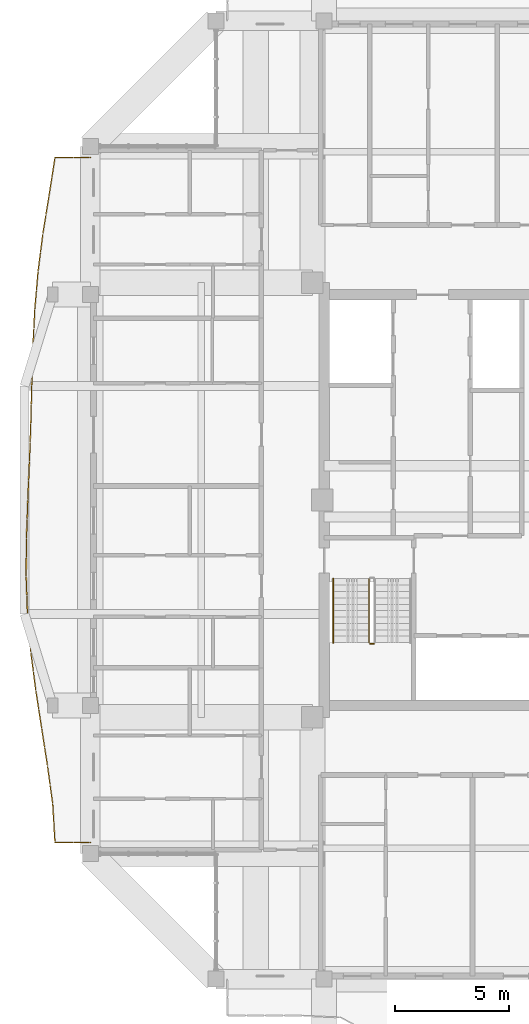
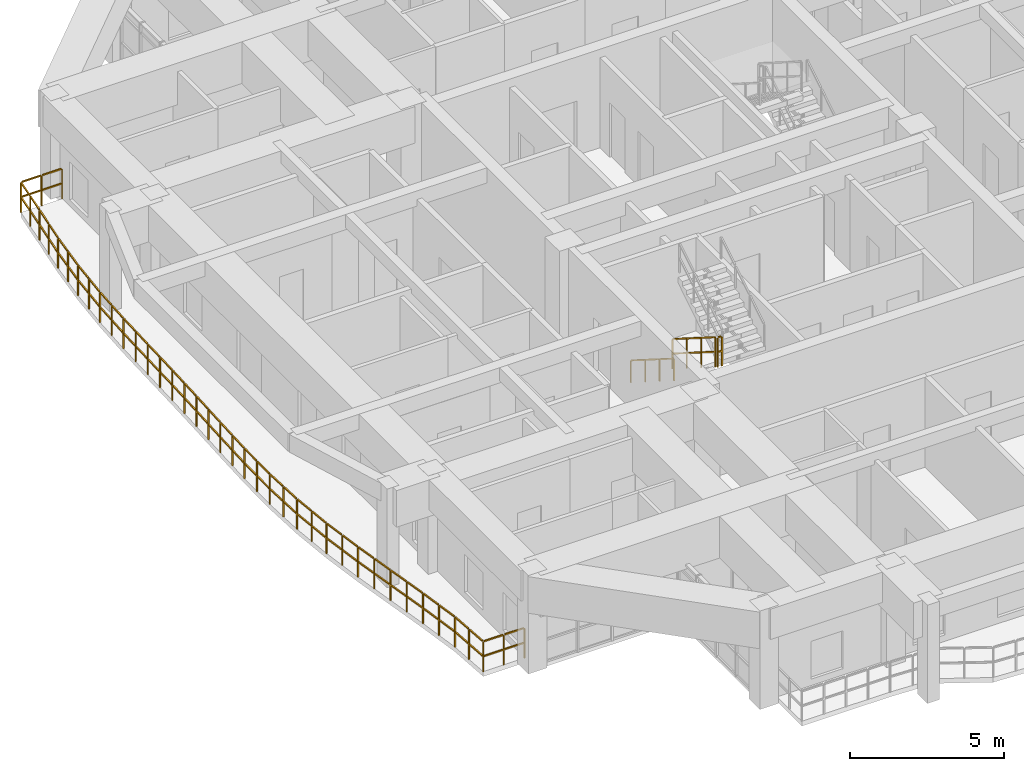
# One storey, part 24 of 27: 4 railings.
"""IFC4 building model written with IfcOpenShell, lengths in metres."""

from ifc_helpers import new_model, si_unit, direction, frame, origin, origin_2d, place, context, subcontext, project, spatial, rectangle, extrude, material, type_object, element, save


model = new_model("IFC4")

# Units and contexts
model_context = context("Model", 3, precision=1e-05, world=origin(), true_north=direction((0.0, 1.0)))
body_context = subcontext(model_context, "Body", "Model", "MODEL_VIEW")
ifc_project = project(units=[si_unit("LENGTHUNIT", "METRE"), si_unit("AREAUNIT", "SQUARE_METRE"), si_unit("VOLUMEUNIT", "CUBIC_METRE"), si_unit("PLANEANGLEUNIT", "RADIAN"), si_unit("MASSUNIT", "GRAM", prefix="KILO")], contexts=[model_context])

# Site, building, storey
site_placement = place(None, origin())
site = spatial("IfcSite", under=ifc_project, at=site_placement, CompositionType="ELEMENT")
building_placement = place(site_placement, origin())
building = spatial("IfcBuilding", under=site, at=building_placement, Name="Saelheon Loggia Tower", CompositionType="ELEMENT")
storey_placement = place(building_placement, frame((0.0, 0.0, 236.10009765625)))
storey = spatial("IfcBuildingStorey", under=building, at=storey_placement, Name="L73", CompositionType="ELEMENT", Elevation=236.10009765625)

# Railings
ifc_material_1 = material(Name="Architectural Precast Concrete and Laminated Glass Guard", Category="concrete")
railing_type_1 = type_object("IfcRailingType", Name="Guard_Loggia_RL_LOG", PredefinedType="BALUSTRADE", material=ifc_material_1)
railing_1_placement = place(storey_placement, frame((21.25, 42.0, 0.0)))
element("IfcRailing", 1, at=railing_1_placement, inside=storey, type_object=railing_type_1, Name="L73 West Loggia Balustrade", PredefinedType="BALUSTRADE", context=body_context, shape_type="SweptSolid", body=[
    extrude(rectangle(XDim=0.048095703125, YDim=0.048095703125, at=origin_2d()), frame((-0.033203125, 0.0, 1.19580078125), z_axis=(-1.0, 0.0, 0.0), x_axis=(0.0, -1.0, 0.0)), (0.0, 0.0, 1.0), 0.70849609375),
    extrude(rectangle(XDim=0.048095703125, YDim=0.048095703125, at=origin_2d()), frame((-0.033203125, 0.0, 0.60986328125), z_axis=(-1.0, 0.0, 0.0), x_axis=(0.0, -1.0, 0.0)), (0.0, 0.0, 1.0), 0.70849609375),
    extrude(rectangle(XDim=0.048095703125, YDim=0.048095703125, at=origin_2d()), frame((-0.808349609375, 0.0, 1.19580078125), z_axis=(-1.0, 0.0, 0.0), x_axis=(0.0, -1.0, 0.0)), (0.0, 0.0, 1.0), 0.70849609375),
    extrude(rectangle(XDim=0.048095703125, YDim=0.048095703125, at=origin_2d()), frame((-0.808349609375, 0.0, 0.60986328125), z_axis=(-1.0, 0.0, 0.0), x_axis=(0.0, -1.0, 0.0)), (0.0, 0.0, 1.0), 0.70849609375),
    extrude(rectangle(XDim=0.048095703125, YDim=0.048095703125, at=origin_2d()), frame((-1.55517578125, -0.03271484375, 1.19580078125), z_axis=(-0.154275338413, -0.988027894322, 0.0), x_axis=(0.988027894322, -0.154275338413, 0.0)), (0.0, 0.0, 1.0), 0.777099609375),
    extrude(rectangle(XDim=0.048095703125, YDim=0.048095703125, at=origin_2d()), frame((-1.55517578125, -0.03271484375, 0.60986328125), z_axis=(-0.154275338413, -0.988027894322, 0.0), x_axis=(0.988027894322, -0.154275338413, 0.0)), (0.0, 0.0, 1.0), 0.777099609375),
    extrude(rectangle(XDim=0.048095703125, YDim=0.048095703125, at=origin_2d()), frame((-1.685302734375, -0.8662109375, 1.19580078125), z_axis=(-0.154275338413, -0.988027894322, 0.0), x_axis=(0.988027894322, -0.154275338413, 0.0)), (0.0, 0.0, 1.0), 0.777099609375),
    extrude(rectangle(XDim=0.048095703125, YDim=0.048095703125, at=origin_2d()), frame((-1.685302734375, -0.8662109375, 0.60986328125), z_axis=(-0.154275338413, -0.988027894322, 0.0), x_axis=(0.988027894322, -0.154275338413, 0.0)), (0.0, 0.0, 1.0), 0.777099609375),
    extrude(rectangle(XDim=0.048095703125, YDim=0.048095703125, at=origin_2d()), frame((-1.815673828125, -1.699462890625, 1.19580078125), z_axis=(-0.160364370731, -0.987057885131, 0.0), x_axis=(0.987057885131, -0.160364370731, 0.0)), (0.0, 0.0, 1.0), 0.777587890625),
    extrude(rectangle(XDim=0.048095703125, YDim=0.048095703125, at=origin_2d()), frame((-1.815673828125, -1.699462890625, 0.60986328125), z_axis=(-0.160364370731, -0.987057885131, 0.0), x_axis=(0.987057885131, -0.160364370731, 0.0)), (0.0, 0.0, 1.0), 0.777587890625),
    extrude(rectangle(XDim=0.048095703125, YDim=0.048095703125, at=origin_2d()), frame((-1.950927734375, -2.53271484375, 1.19580078125), z_axis=(-0.160364370731, -0.987057885131, 0.0), x_axis=(0.987057885131, -0.160364370731, 0.0)), (0.0, 0.0, 1.0), 0.777587890625),
    extrude(rectangle(XDim=0.048095703125, YDim=0.048095703125, at=origin_2d()), frame((-1.950927734375, -2.53271484375, 0.60986328125), z_axis=(-0.160364370731, -0.987057885131, 0.0), x_axis=(0.987057885131, -0.160364370731, 0.0)), (0.0, 0.0, 1.0), 0.777587890625),
    extrude(rectangle(XDim=0.048095703125, YDim=0.048095703125, at=origin_2d()), frame((-2.085205078125, -3.3662109375, 1.19580078125), z_axis=(-0.126555838779, -0.991959484894, 0.0), x_axis=(0.991959484894, -0.126555838779, 0.0)), (0.0, 0.0, 1.0), 0.773681640625),
    extrude(rectangle(XDim=0.048095703125, YDim=0.048095703125, at=origin_2d()), frame((-2.085205078125, -3.3662109375, 0.60986328125), z_axis=(-0.126555838779, -0.991959484894, 0.0), x_axis=(0.991959484894, -0.126555838779, 0.0)), (0.0, 0.0, 1.0), 0.773681640625),
    extrude(rectangle(XDim=0.048095703125, YDim=0.048095703125, at=origin_2d()), frame((-2.191650390625, -4.19970703125, 1.19580078125), z_axis=(-0.126555838779, -0.991959484894, 0.0), x_axis=(0.991959484894, -0.126555838779, 0.0)), (0.0, 0.0, 1.0), 0.773681640625),
    extrude(rectangle(XDim=0.048095703125, YDim=0.048095703125, at=origin_2d()), frame((-2.191650390625, -4.19970703125, 0.60986328125), z_axis=(-0.126555838779, -0.991959484894, 0.0), x_axis=(0.991959484894, -0.126555838779, 0.0)), (0.0, 0.0, 1.0), 0.773681640625),
    extrude(rectangle(XDim=0.048095703125, YDim=0.048095703125, at=origin_2d()), frame((-2.296630859375, -5.033203125, 1.19580078125), z_axis=(-0.085086537051, -0.996373565091, 0.0), x_axis=(0.996373565091, -0.085086537051, 0.0)), (0.0, 0.0, 1.0), 0.77001953125),
    extrude(rectangle(XDim=0.048095703125, YDim=0.048095703125, at=origin_2d()), frame((-2.296630859375, -5.033203125, 0.60986328125), z_axis=(-0.085086537051, -0.996373565091, 0.0), x_axis=(0.996373565091, -0.085086537051, 0.0)), (0.0, 0.0, 1.0), 0.77001953125),
    extrude(rectangle(XDim=0.048095703125, YDim=0.048095703125, at=origin_2d()), frame((-2.36767578125, -5.866455078125, 1.19580078125), z_axis=(-0.085086537051, -0.996373565091, 0.0), x_axis=(0.996373565091, -0.085086537051, 0.0)), (0.0, 0.0, 1.0), 0.77001953125),
    extrude(rectangle(XDim=0.048095703125, YDim=0.048095703125, at=origin_2d()), frame((-2.36767578125, -5.866455078125, 0.60986328125), z_axis=(-0.085086537051, -0.996373565091, 0.0), x_axis=(0.996373565091, -0.085086537051, 0.0)), (0.0, 0.0, 1.0), 0.77001953125),
    extrude(rectangle(XDim=0.048095703125, YDim=0.048095703125, at=origin_2d()), frame((-2.437744140625, -6.699951171875, 1.19580078125), z_axis=(-0.049164031817, -0.998790717806, 0.0), x_axis=(0.998790717806, -0.049164031817, 0.0)), (0.0, 0.0, 1.0), 0.767822265625),
    extrude(rectangle(XDim=0.048095703125, YDim=0.048095703125, at=origin_2d()), frame((-2.437744140625, -6.699951171875, 0.60986328125), z_axis=(-0.049164031817, -0.998790717806, 0.0), x_axis=(0.998790717806, -0.049164031817, 0.0)), (0.0, 0.0, 1.0), 0.767822265625),
    extrude(rectangle(XDim=0.048095703125, YDim=0.048095703125, at=origin_2d()), frame((-2.478759765625, -7.533203125, 1.19580078125), z_axis=(-0.049164031817, -0.998790717806, 0.0), x_axis=(0.998790717806, -0.049164031817, 0.0)), (0.0, 0.0, 1.0), 0.767822265625),
    extrude(rectangle(XDim=0.048095703125, YDim=0.048095703125, at=origin_2d()), frame((-2.478759765625, -7.533203125, 0.60986328125), z_axis=(-0.049164031817, -0.998790717806, 0.0), x_axis=(0.998790717806, -0.049164031817, 0.0)), (0.0, 0.0, 1.0), 0.767822265625),
    extrude(rectangle(XDim=0.048095703125, YDim=0.048095703125, at=origin_2d()), frame((-2.51904296875, -8.366455078125, 1.19580078125), z_axis=(-0.028990300161, -0.999579692919, 0.0), x_axis=(0.999579692919, -0.028990300161, 0.0)), (0.0, 0.0, 1.0), 0.767333984375),
    extrude(rectangle(XDim=0.048095703125, YDim=0.048095703125, at=origin_2d()), frame((-2.51904296875, -8.366455078125, 0.60986328125), z_axis=(-0.028990300161, -0.999579692919, 0.0), x_axis=(0.999579692919, -0.028990300161, 0.0)), (0.0, 0.0, 1.0), 0.767333984375),
    extrude(rectangle(XDim=0.048095703125, YDim=0.048095703125, at=origin_2d()), frame((-2.543212890625, -9.199951171875, 1.19580078125), z_axis=(-0.028990300161, -0.999579692919, 0.0), x_axis=(0.999579692919, -0.028990300161, 0.0)), (0.0, 0.0, 1.0), 0.767333984375),
    extrude(rectangle(XDim=0.048095703125, YDim=0.048095703125, at=origin_2d()), frame((-2.543212890625, -9.199951171875, 0.60986328125), z_axis=(-0.028990300161, -0.999579692919, 0.0), x_axis=(0.999579692919, -0.028990300161, 0.0)), (0.0, 0.0, 1.0), 0.767333984375),
    extrude(rectangle(XDim=0.048095703125, YDim=0.048095703125, at=origin_2d()), frame((-2.5673828125, -10.033203125, 1.19580078125), z_axis=(-0.026503064378, -0.999648732095, 0.0), x_axis=(0.999648732095, -0.026503064378, 0.0)), (0.0, 0.0, 1.0), 0.76708984375),
    extrude(rectangle(XDim=0.048095703125, YDim=0.048095703125, at=origin_2d()), frame((-2.5673828125, -10.033203125, 0.60986328125), z_axis=(-0.026503064378, -0.999648732095, 0.0), x_axis=(0.999648732095, -0.026503064378, 0.0)), (0.0, 0.0, 1.0), 0.76708984375),
    extrude(rectangle(XDim=0.048095703125, YDim=0.048095703125, at=origin_2d()), frame((-2.58935546875, -10.86669921875, 1.19580078125), z_axis=(-0.026503064378, -0.999648732095, 0.0), x_axis=(0.999648732095, -0.026503064378, 0.0)), (0.0, 0.0, 1.0), 0.76708984375),
    extrude(rectangle(XDim=0.048095703125, YDim=0.048095703125, at=origin_2d()), frame((-2.58935546875, -10.86669921875, 0.60986328125), z_axis=(-0.026503064378, -0.999648732095, 0.0), x_axis=(0.999648732095, -0.026503064378, 0.0)), (0.0, 0.0, 1.0), 0.76708984375),
    extrude(rectangle(XDim=0.048095703125, YDim=0.048095703125, at=origin_2d()), frame((-2.61181640625, -11.699951171875, 1.19580078125), z_axis=(-0.034699278976, -0.999397798696, 0.0), x_axis=(0.999397798696, -0.034699278976, 0.0)), (0.0, 0.0, 1.0), 0.767333984375),
    extrude(rectangle(XDim=0.048095703125, YDim=0.048095703125, at=origin_2d()), frame((-2.61181640625, -11.699951171875, 0.60986328125), z_axis=(-0.034699278976, -0.999397798696, 0.0), x_axis=(0.999397798696, -0.034699278976, 0.0)), (0.0, 0.0, 1.0), 0.767333984375),
    extrude(rectangle(XDim=0.048095703125, YDim=0.048095703125, at=origin_2d()), frame((-2.640625, -12.533203125, 1.19580078125), z_axis=(-0.034699278976, -0.999397798696, 0.0), x_axis=(0.999397798696, -0.034699278976, 0.0)), (0.0, 0.0, 1.0), 0.767333984375),
    extrude(rectangle(XDim=0.048095703125, YDim=0.048095703125, at=origin_2d()), frame((-2.640625, -12.533203125, 0.60986328125), z_axis=(-0.034699278976, -0.999397798696, 0.0), x_axis=(0.999397798696, -0.034699278976, 0.0)), (0.0, 0.0, 1.0), 0.767333984375),
    extrude(rectangle(XDim=0.048095703125, YDim=0.048095703125, at=origin_2d()), frame((-2.669921875, -13.366455078125, 1.19580078125), z_axis=(-0.041563583491, -0.999135860895, 0.0), x_axis=(0.999135860895, -0.041563583491, 0.0)), (0.0, 0.0, 1.0), 0.767578125),
    extrude(rectangle(XDim=0.048095703125, YDim=0.048095703125, at=origin_2d()), frame((-2.669921875, -13.366455078125, 0.60986328125), z_axis=(-0.041563583491, -0.999135860895, 0.0), x_axis=(0.999135860895, -0.041563583491, 0.0)), (0.0, 0.0, 1.0), 0.767578125),
    extrude(rectangle(XDim=0.048095703125, YDim=0.048095703125, at=origin_2d()), frame((-2.70458984375, -14.199951171875, 1.19580078125), z_axis=(-0.041563583491, -0.999135860895, 0.0), x_axis=(0.999135860895, -0.041563583491, 0.0)), (0.0, 0.0, 1.0), 0.767578125),
    extrude(rectangle(XDim=0.048095703125, YDim=0.048095703125, at=origin_2d()), frame((-2.70458984375, -14.199951171875, 0.60986328125), z_axis=(-0.041563583491, -0.999135860895, 0.0), x_axis=(0.999135860895, -0.041563583491, 0.0)), (0.0, 0.0, 1.0), 0.767578125),
    extrude(rectangle(XDim=0.048095703125, YDim=0.048095703125, at=origin_2d()), frame((-2.739013671875, -15.033203125, 1.19580078125), z_axis=(-0.035132830873, -0.999382651538, 0.0), x_axis=(0.999382651538, -0.035132830873, 0.0)), (0.0, 0.0, 1.0), 0.767333984375),
    extrude(rectangle(XDim=0.048095703125, YDim=0.048095703125, at=origin_2d()), frame((-2.739013671875, -15.033203125, 0.60986328125), z_axis=(-0.035132830873, -0.999382651538, 0.0), x_axis=(0.999382651538, -0.035132830873, 0.0)), (0.0, 0.0, 1.0), 0.767333984375),
    extrude(rectangle(XDim=0.048095703125, YDim=0.048095703125, at=origin_2d()), frame((-2.768310546875, -15.86669921875, 1.19580078125), z_axis=(-0.035132830873, -0.999382651538, 0.0), x_axis=(0.999382651538, -0.035132830873, 0.0)), (0.0, 0.0, 1.0), 0.767333984375),
    extrude(rectangle(XDim=0.048095703125, YDim=0.048095703125, at=origin_2d()), frame((-2.768310546875, -15.86669921875, 0.60986328125), z_axis=(-0.035132830873, -0.999382651538, 0.0), x_axis=(0.999382651538, -0.035132830873, 0.0)), (0.0, 0.0, 1.0), 0.767333984375),
    extrude(rectangle(XDim=0.048095703125, YDim=0.048095703125, at=origin_2d()), frame((-2.796630859375, -16.699951171875, 1.19580078125), z_axis=(-0.008496616815, -0.9999639031, 0.0), x_axis=(0.9999639031, -0.008496616815, 0.0)), (0.0, 0.0, 1.0), 0.766845703125),
    extrude(rectangle(XDim=0.048095703125, YDim=0.048095703125, at=origin_2d()), frame((-2.796630859375, -16.699951171875, 0.60986328125), z_axis=(-0.008496616815, -0.9999639031, 0.0), x_axis=(0.9999639031, -0.008496616815, 0.0)), (0.0, 0.0, 1.0), 0.766845703125),
    extrude(rectangle(XDim=0.048095703125, YDim=0.048095703125, at=origin_2d()), frame((-2.8037109375, -17.533203125, 1.19580078125), z_axis=(-0.008496616815, -0.9999639031, 0.0), x_axis=(0.9999639031, -0.008496616815, 0.0)), (0.0, 0.0, 1.0), 0.766845703125),
    extrude(rectangle(XDim=0.048095703125, YDim=0.048095703125, at=origin_2d()), frame((-2.8037109375, -17.533203125, 0.60986328125), z_axis=(-0.008496616815, -0.9999639031, 0.0), x_axis=(0.9999639031, -0.008496616815, 0.0)), (0.0, 0.0, 1.0), 0.766845703125),
    extrude(rectangle(XDim=0.048095703125, YDim=0.048095703125, at=origin_2d()), frame((-2.809326171875, -18.366455078125, 1.19580078125), z_axis=(0.035132830873, -0.999382651538, 0.0), x_axis=(0.999382651538, 0.035132830873, 0.0)), (0.0, 0.0, 1.0), 0.767333984375),
    extrude(rectangle(XDim=0.048095703125, YDim=0.048095703125, at=origin_2d()), frame((-2.809326171875, -18.366455078125, 0.60986328125), z_axis=(0.035132830873, -0.999382651538, 0.0), x_axis=(0.999382651538, 0.035132830873, 0.0)), (0.0, 0.0, 1.0), 0.767333984375),
    extrude(rectangle(XDim=0.048095703125, YDim=0.048095703125, at=origin_2d()), frame((-2.780029296875, -19.199951171875, 1.19580078125), z_axis=(0.035132830873, -0.999382651538, 0.0), x_axis=(0.999382651538, 0.035132830873, 0.0)), (0.0, 0.0, 1.0), 0.767333984375),
    extrude(rectangle(XDim=0.048095703125, YDim=0.048095703125, at=origin_2d()), frame((-2.780029296875, -19.199951171875, 0.60986328125), z_axis=(0.035132830873, -0.999382651538, 0.0), x_axis=(0.999382651538, 0.035132830873, 0.0)), (0.0, 0.0, 1.0), 0.767333984375),
    extrude(rectangle(XDim=0.048095703125, YDim=0.048095703125, at=origin_2d()), frame((-2.7490234375, -20.033203125, 1.19580078125), z_axis=(0.085810916516, -0.996311440568, 0.0), x_axis=(0.996311440568, 0.085810916516, 0.0)), (0.0, 0.0, 1.0), 0.77001953125),
    extrude(rectangle(XDim=0.048095703125, YDim=0.048095703125, at=origin_2d()), frame((-2.7490234375, -20.033203125, 0.60986328125), z_axis=(0.085810916516, -0.996311440568, 0.0), x_axis=(0.996311440568, 0.085810916516, 0.0)), (0.0, 0.0, 1.0), 0.77001953125),
    extrude(rectangle(XDim=0.048095703125, YDim=0.048095703125, at=origin_2d()), frame((-2.67724609375, -20.866455078125, 1.19580078125), z_axis=(0.085810916516, -0.996311440568, 0.0), x_axis=(0.996311440568, 0.085810916516, 0.0)), (0.0, 0.0, 1.0), 0.77001953125),
    extrude(rectangle(XDim=0.048095703125, YDim=0.048095703125, at=origin_2d()), frame((-2.67724609375, -20.866455078125, 0.60986328125), z_axis=(0.085810916516, -0.996311440568, 0.0), x_axis=(0.996311440568, 0.085810916516, 0.0)), (0.0, 0.0, 1.0), 0.77001953125),
    extrude(rectangle(XDim=0.048095703125, YDim=0.048095703125, at=origin_2d()), frame((-2.60400390625, -21.69970703125, 1.19580078125), z_axis=(0.128718073228, -0.991681227827, 0.0), x_axis=(0.991681227827, 0.128718073228, 0.0)), (0.0, 0.0, 1.0), 0.773681640625),
    extrude(rectangle(XDim=0.048095703125, YDim=0.048095703125, at=origin_2d()), frame((-2.60400390625, -21.69970703125, 0.60986328125), z_axis=(0.128718073228, -0.991681227827, 0.0), x_axis=(0.991681227827, 0.128718073228, 0.0)), (0.0, 0.0, 1.0), 0.773681640625),
    extrude(rectangle(XDim=0.048095703125, YDim=0.048095703125, at=origin_2d()), frame((-2.495849609375, -22.532958984375, 1.19580078125), z_axis=(0.128718073228, -0.991681227827, 0.0), x_axis=(0.991681227827, 0.128718073228, 0.0)), (0.0, 0.0, 1.0), 0.773681640625),
    extrude(rectangle(XDim=0.048095703125, YDim=0.048095703125, at=origin_2d()), frame((-2.495849609375, -22.532958984375, 0.60986328125), z_axis=(0.128718073228, -0.991681227827, 0.0), x_axis=(0.991681227827, 0.128718073228, 0.0)), (0.0, 0.0, 1.0), 0.773681640625),
    extrude(rectangle(XDim=0.048095703125, YDim=0.048095703125, at=origin_2d()), frame((-2.386962890625, -23.3662109375, 1.19580078125), z_axis=(0.152579310922, -0.988291229283, 0.0), x_axis=(0.988291229283, 0.152579310922, 0.0)), (0.0, 0.0, 1.0), 0.77685546875),
    extrude(rectangle(XDim=0.048095703125, YDim=0.048095703125, at=origin_2d()), frame((-2.386962890625, -23.3662109375, 0.60986328125), z_axis=(0.152579310922, -0.988291229283, 0.0), x_axis=(0.988291229283, 0.152579310922, 0.0)), (0.0, 0.0, 1.0), 0.77685546875),
    extrude(rectangle(XDim=0.048095703125, YDim=0.048095703125, at=origin_2d()), frame((-2.25830078125, -24.199462890625, 1.19580078125), z_axis=(0.152579310922, -0.988291229283, 0.0), x_axis=(0.988291229283, 0.152579310922, 0.0)), (0.0, 0.0, 1.0), 0.77685546875),
    extrude(rectangle(XDim=0.048095703125, YDim=0.048095703125, at=origin_2d()), frame((-2.25830078125, -24.199462890625, 0.60986328125), z_axis=(0.152579310922, -0.988291229283, 0.0), x_axis=(0.988291229283, 0.152579310922, 0.0)), (0.0, 0.0, 1.0), 0.77685546875),
    extrude(rectangle(XDim=0.048095703125, YDim=0.048095703125, at=origin_2d()), frame((-2.129638671875, -25.032958984375, 1.19580078125), z_axis=(0.15356882512, -0.988137953907, 0.0), x_axis=(0.988137953907, 0.15356882512, 0.0)), (0.0, 0.0, 1.0), 0.77685546875),
    extrude(rectangle(XDim=0.048095703125, YDim=0.048095703125, at=origin_2d()), frame((-2.129638671875, -25.032958984375, 0.60986328125), z_axis=(0.15356882512, -0.988137953907, 0.0), x_axis=(0.988137953907, 0.15356882512, 0.0)), (0.0, 0.0, 1.0), 0.77685546875),
    extrude(rectangle(XDim=0.048095703125, YDim=0.048095703125, at=origin_2d()), frame((-2.000244140625, -25.8662109375, 1.19580078125), z_axis=(0.15356882512, -0.988137953907, 0.0), x_axis=(0.988137953907, 0.15356882512, 0.0)), (0.0, 0.0, 1.0), 0.77685546875),
    extrude(rectangle(XDim=0.048095703125, YDim=0.048095703125, at=origin_2d()), frame((-2.000244140625, -25.8662109375, 0.60986328125), z_axis=(0.15356882512, -0.988137953907, 0.0), x_axis=(0.988137953907, 0.15356882512, 0.0)), (0.0, 0.0, 1.0), 0.77685546875),
    extrude(rectangle(XDim=0.048095703125, YDim=0.048095703125, at=origin_2d()), frame((-1.871337890625, -26.69970703125, 1.19580078125), z_axis=(0.13556658858, -0.990768237309, 0.0), x_axis=(0.990768237309, 0.13556658858, 0.0)), (0.0, 0.0, 1.0), 0.774658203125),
    extrude(rectangle(XDim=0.048095703125, YDim=0.048095703125, at=origin_2d()), frame((-1.871337890625, -26.69970703125, 0.60986328125), z_axis=(0.13556658858, -0.990768237309, 0.0), x_axis=(0.990768237309, 0.13556658858, 0.0)), (0.0, 0.0, 1.0), 0.774658203125),
    extrude(rectangle(XDim=0.048095703125, YDim=0.048095703125, at=origin_2d()), frame((-1.75732421875, -27.532958984375, 1.19580078125), z_axis=(0.13556658858, -0.990768237309, 0.0), x_axis=(0.990768237309, 0.13556658858, 0.0)), (0.0, 0.0, 1.0), 0.774658203125),
    extrude(rectangle(XDim=0.048095703125, YDim=0.048095703125, at=origin_2d()), frame((-1.75732421875, -27.532958984375, 0.60986328125), z_axis=(0.13556658858, -0.990768237309, 0.0), x_axis=(0.990768237309, 0.13556658858, 0.0)), (0.0, 0.0, 1.0), 0.774658203125),
    extrude(rectangle(XDim=0.048095703125, YDim=0.048095703125, at=origin_2d()), frame((-1.645751953125, -28.366455078125, 1.19580078125), z_axis=(0.058490579202, -0.998287960533, 0.0), x_axis=(0.998287960533, 0.058490579202, 0.0)), (0.0, 0.0, 1.0), 0.768310546875),
    extrude(rectangle(XDim=0.048095703125, YDim=0.048095703125, at=origin_2d()), frame((-1.645751953125, -28.366455078125, 0.60986328125), z_axis=(0.058490579202, -0.998287960533, 0.0), x_axis=(0.998287960533, 0.058490579202, 0.0)), (0.0, 0.0, 1.0), 0.768310546875),
    extrude(rectangle(XDim=0.048095703125, YDim=0.048095703125, at=origin_2d()), frame((-1.596923828125, -29.19970703125, 1.19580078125), z_axis=(0.058490579202, -0.998287960533, 0.0), x_axis=(0.998287960533, 0.058490579202, 0.0)), (0.0, 0.0, 1.0), 0.768310546875),
    extrude(rectangle(XDim=0.048095703125, YDim=0.048095703125, at=origin_2d()), frame((-1.596923828125, -29.19970703125, 0.60986328125), z_axis=(0.058490579202, -0.998287960533, 0.0), x_axis=(0.998287960533, 0.058490579202, 0.0)), (0.0, 0.0, 1.0), 0.768310546875),
    extrude(rectangle(XDim=0.048095703125, YDim=0.048095703125, at=origin_2d()), frame((-1.516845703125, -30.0, 1.19580078125), z_axis=(1.0, 0.0, 0.0), x_axis=(0.0, 1.0, 0.0)), (0.0, 0.0, 1.0), 0.70849609375),
    extrude(rectangle(XDim=0.048095703125, YDim=0.048095703125, at=origin_2d()), frame((-1.516845703125, -30.0, 0.60986328125), z_axis=(1.0, 0.0, 0.0), x_axis=(0.0, 1.0, 0.0)), (0.0, 0.0, 1.0), 0.70849609375),
    extrude(rectangle(XDim=0.048095703125, YDim=0.048095703125, at=origin_2d()), frame((-0.74169921875, -30.0, 1.19580078125), z_axis=(1.0, 0.0, 0.0), x_axis=(0.0, 1.0, 0.0)), (0.0, 0.0, 1.0), 0.70849609375),
    extrude(rectangle(XDim=0.048095703125, YDim=0.048095703125, at=origin_2d()), frame((-0.74169921875, -30.0, 0.60986328125), z_axis=(1.0, 0.0, 0.0), x_axis=(0.0, 1.0, 0.0)), (0.0, 0.0, 1.0), 0.70849609375),
    extrude(rectangle(XDim=0.0419921875, YDim=0.0419921875, at=origin_2d()), origin(), (0.0, 0.0, 1.0), 1.16796875),
    extrude(rectangle(XDim=0.0419921875, YDim=0.0419921875, at=origin_2d()), frame((-0.77490234375, 0.0, 0.0)), (0.0, 0.0, 1.0), 1.16796875),
    extrude(rectangle(XDim=0.0419921875, YDim=0.0419921875, at=origin_2d()), frame((-1.550048828125, 0.0, 0.0)), (0.0, 0.0, 1.0), 1.16796875),
    extrude(rectangle(XDim=0.0419921875, YDim=0.0419921875, at=origin_2d()), frame((-1.68017578125, -0.83349609375, 0.0)), (0.0, 0.0, 1.0), 1.16796875),
    extrude(rectangle(XDim=0.0419921875, YDim=0.0419921875, at=origin_2d()), frame((-1.810302734375, -1.666748046875, 0.0)), (0.0, 0.0, 1.0), 1.16796875),
    extrude(rectangle(XDim=0.0419921875, YDim=0.0419921875, at=origin_2d()), frame((-1.94580078125, -2.5, 0.0)), (0.0, 0.0, 1.0), 1.16796875),
    extrude(rectangle(XDim=0.0419921875, YDim=0.0419921875, at=origin_2d()), frame((-2.0810546875, -3.333251953125, 0.0)), (0.0, 0.0, 1.0), 1.16796875),
    extrude(rectangle(XDim=0.0419921875, YDim=0.0419921875, at=origin_2d()), frame((-2.1875, -4.16650390625, 0.0)), (0.0, 0.0, 1.0), 1.16796875),
    extrude(rectangle(XDim=0.0419921875, YDim=0.0419921875, at=origin_2d()), frame((-2.293701171875, -5.0, 0.0)), (0.0, 0.0, 1.0), 1.16796875),
    extrude(rectangle(XDim=0.0419921875, YDim=0.0419921875, at=origin_2d()), frame((-2.36474609375, -5.83349609375, 0.0)), (0.0, 0.0, 1.0), 1.16796875),
    extrude(rectangle(XDim=0.0419921875, YDim=0.0419921875, at=origin_2d()), frame((-2.43603515625, -6.666748046875, 0.0)), (0.0, 0.0, 1.0), 1.16796875),
    extrude(rectangle(XDim=0.0419921875, YDim=0.0419921875, at=origin_2d()), frame((-2.47705078125, -7.5, 0.0)), (0.0, 0.0, 1.0), 1.16796875),
    extrude(rectangle(XDim=0.0419921875, YDim=0.0419921875, at=origin_2d()), frame((-2.51806640625, -8.333251953125, 0.0)), (0.0, 0.0, 1.0), 1.16796875),
    extrude(rectangle(XDim=0.0419921875, YDim=0.0419921875, at=origin_2d()), frame((-2.542236328125, -9.16650390625, 0.0)), (0.0, 0.0, 1.0), 1.16796875),
    extrude(rectangle(XDim=0.0419921875, YDim=0.0419921875, at=origin_2d()), frame((-2.56640625, -10.0, 0.0)), (0.0, 0.0, 1.0), 1.16796875),
    extrude(rectangle(XDim=0.0419921875, YDim=0.0419921875, at=origin_2d()), frame((-2.58837890625, -10.83349609375, 0.0)), (0.0, 0.0, 1.0), 1.16796875),
    extrude(rectangle(XDim=0.0419921875, YDim=0.0419921875, at=origin_2d()), frame((-2.610595703125, -11.666748046875, 0.0)), (0.0, 0.0, 1.0), 1.16796875),
    extrude(rectangle(XDim=0.0419921875, YDim=0.0419921875, at=origin_2d()), frame((-2.6396484375, -12.5, 0.0)), (0.0, 0.0, 1.0), 1.16796875),
    extrude(rectangle(XDim=0.0419921875, YDim=0.0419921875, at=origin_2d()), frame((-2.66845703125, -13.333251953125, 0.0)), (0.0, 0.0, 1.0), 1.16796875),
    extrude(rectangle(XDim=0.0419921875, YDim=0.0419921875, at=origin_2d()), frame((-2.703125, -14.16650390625, 0.0)), (0.0, 0.0, 1.0), 1.16796875),
    extrude(rectangle(XDim=0.0419921875, YDim=0.0419921875, at=origin_2d()), frame((-2.73779296875, -15.0, 0.0)), (0.0, 0.0, 1.0), 1.16796875),
    extrude(rectangle(XDim=0.0419921875, YDim=0.0419921875, at=origin_2d()), frame((-2.76708984375, -15.83349609375, 0.0)), (0.0, 0.0, 1.0), 1.16796875),
    extrude(rectangle(XDim=0.0419921875, YDim=0.0419921875, at=origin_2d()), frame((-2.79638671875, -16.666748046875, 0.0)), (0.0, 0.0, 1.0), 1.16796875),
    extrude(rectangle(XDim=0.0419921875, YDim=0.0419921875, at=origin_2d()), frame((-2.803466796875, -17.5, 0.0)), (0.0, 0.0, 1.0), 1.16796875),
    extrude(rectangle(XDim=0.0419921875, YDim=0.0419921875, at=origin_2d()), frame((-2.810546875, -18.333251953125, 0.0)), (0.0, 0.0, 1.0), 1.16796875),
    extrude(rectangle(XDim=0.0419921875, YDim=0.0419921875, at=origin_2d()), frame((-2.78125, -19.16650390625, 0.0)), (0.0, 0.0, 1.0), 1.16796875),
    extrude(rectangle(XDim=0.0419921875, YDim=0.0419921875, at=origin_2d()), frame((-2.751953125, -20.0, 0.0)), (0.0, 0.0, 1.0), 1.16796875),
    extrude(rectangle(XDim=0.0419921875, YDim=0.0419921875, at=origin_2d()), frame((-2.68017578125, -20.83349609375, 0.0)), (0.0, 0.0, 1.0), 1.16796875),
    extrude(rectangle(XDim=0.0419921875, YDim=0.0419921875, at=origin_2d()), frame((-2.6083984375, -21.666748046875, 0.0)), (0.0, 0.0, 1.0), 1.16796875),
    extrude(rectangle(XDim=0.0419921875, YDim=0.0419921875, at=origin_2d()), frame((-2.500244140625, -22.5, 0.0)), (0.0, 0.0, 1.0), 1.16796875),
    extrude(rectangle(XDim=0.0419921875, YDim=0.0419921875, at=origin_2d()), frame((-2.39208984375, -23.333251953125, 0.0)), (0.0, 0.0, 1.0), 1.16796875),
    extrude(rectangle(XDim=0.0419921875, YDim=0.0419921875, at=origin_2d()), frame((-2.263427734375, -24.16650390625, 0.0)), (0.0, 0.0, 1.0), 1.16796875),
    extrude(rectangle(XDim=0.0419921875, YDim=0.0419921875, at=origin_2d()), frame((-2.134765625, -25.0, 0.0)), (0.0, 0.0, 1.0), 1.16796875),
    extrude(rectangle(XDim=0.0419921875, YDim=0.0419921875, at=origin_2d()), frame((-2.00537109375, -25.83349609375, 0.0)), (0.0, 0.0, 1.0), 1.16796875),
    extrude(rectangle(XDim=0.0419921875, YDim=0.0419921875, at=origin_2d()), frame((-1.875732421875, -26.666748046875, 0.0)), (0.0, 0.0, 1.0), 1.16796875),
    extrude(rectangle(XDim=0.0419921875, YDim=0.0419921875, at=origin_2d()), frame((-1.76171875, -27.5, 0.0)), (0.0, 0.0, 1.0), 1.16796875),
    extrude(rectangle(XDim=0.0419921875, YDim=0.0419921875, at=origin_2d()), frame((-1.647705078125, -28.333251953125, 0.0)), (0.0, 0.0, 1.0), 1.16796875),
    extrude(rectangle(XDim=0.0419921875, YDim=0.0419921875, at=origin_2d()), frame((-1.598876953125, -29.16650390625, 0.0)), (0.0, 0.0, 1.0), 1.16796875),
    extrude(rectangle(XDim=0.0419921875, YDim=0.0419921875, at=origin_2d()), frame((-1.550048828125, -30.0, 0.0)), (0.0, 0.0, 1.0), 1.16796875),
    extrude(rectangle(XDim=0.0419921875, YDim=0.0419921875, at=origin_2d()), frame((-0.77490234375, -30.0, 0.0)), (0.0, 0.0, 1.0), 1.16796875),
    extrude(rectangle(XDim=0.0419921875, YDim=0.0419921875, at=origin_2d()), frame((0.0, -30.0, 0.0)), (0.0, 0.0, 1.0), 1.16796875),
])
ifc_material_2 = material(Name="Galvanised Steel S275 Stairwell Guardrail", Category="steel")
railing_type_2 = type_object("IfcRailingType", Name="Guard_StairWell_RL_STG", PredefinedType="GUARDRAIL", material=ifc_material_2)
railing_2_placement = place(storey_placement, frame((33.4599609375, 23.550048828125, 0.17724609375)))
element("IfcRailing", 2, at=railing_2_placement, inside=storey, type_object=railing_type_2, Name="L73 ST1 stair guard 1", PredefinedType="GUARDRAIL", context=body_context, shape_type="SweptSolid", body=[
    extrude(rectangle(XDim=0.048095703125, YDim=0.048095703125, at=origin_2d()), frame((0.0, -0.028076171875, 1.193603515625), z_axis=(0.0, -0.844908973607, 0.534910110503), x_axis=(1.0, 0.0, 0.0)), (0.0, 0.0, 1.0), 1.0380859375),
    extrude(rectangle(XDim=0.048095703125, YDim=0.048095703125, at=origin_2d()), frame((0.0, -0.028076171875, 0.61767578125), z_axis=(0.0, -0.844908973607, 0.534910110503), x_axis=(1.0, 0.0, 0.0)), (0.0, 0.0, 1.0), 1.0380859375),
    extrude(rectangle(XDim=0.048095703125, YDim=0.048095703125, at=origin_2d()), frame((0.0, -0.96142578125, 1.78466796875), z_axis=(0.0, -0.844908973607, 0.534910110503), x_axis=(1.0, 0.0, 0.0)), (0.0, 0.0, 1.0), 1.0380859375),
    extrude(rectangle(XDim=0.048095703125, YDim=0.048095703125, at=origin_2d()), frame((0.0, -0.96142578125, 1.208740234375), z_axis=(0.0, -0.844908973607, 0.534910110503), x_axis=(1.0, 0.0, 0.0)), (0.0, 0.0, 1.0), 1.0380859375),
    extrude(rectangle(XDim=0.048095703125, YDim=0.048095703125, at=origin_2d()), frame((0.0, -1.894775390625, 2.37548828125), z_axis=(0.0, -0.844908973607, 0.534910110503), x_axis=(1.0, 0.0, 0.0)), (0.0, 0.0, 1.0), 1.0380859375),
    extrude(rectangle(XDim=0.048095703125, YDim=0.048095703125, at=origin_2d()), frame((0.0, -1.894775390625, 1.799560546875), z_axis=(0.0, -0.844908973607, 0.534910110503), x_axis=(1.0, 0.0, 0.0)), (0.0, 0.0, 1.0), 1.0380859375),
    extrude(rectangle(XDim=0.0419921875, YDim=0.0419921875, at=origin_2d()), origin(), (0.0, 0.0, 1.0), 1.14794921875),
    extrude(rectangle(XDim=0.0419921875, YDim=0.0419921875, at=origin_2d()), frame((0.0, -0.933349609375, 0.5908203125)), (0.0, 0.0, 1.0), 1.14794921875),
    extrude(rectangle(XDim=0.0419921875, YDim=0.0419921875, at=origin_2d()), frame((0.0, -1.86669921875, 1.181884765625)), (0.0, 0.0, 1.0), 1.14794921875),
    extrude(rectangle(XDim=0.0419921875, YDim=0.0419921875, at=origin_2d()), frame((0.0, -2.800048828125, 1.772705078125)), (0.0, 0.0, 1.0), 1.14794921875),
])
railing_3_placement = place(storey_placement, frame((33.510009765625, 20.699951171875, 1.949951171875)))
element("IfcRailing", 3, at=railing_3_placement, inside=storey, type_object=railing_type_2, Name="L73 ST1 stair guard 2", PredefinedType="GUARDRAIL", context=body_context, shape_type="SweptSolid", body=[
    extrude(rectangle(XDim=0.048095703125, YDim=0.048095703125, at=origin_2d()), frame((0.033203125, 0.0, 1.17578125), z_axis=(1.0, 0.0, 0.0), x_axis=(0.0, 1.0, 0.0)), (0.0, 0.0, 1.0), 0.093505859375),
    extrude(rectangle(XDim=0.048095703125, YDim=0.048095703125, at=origin_2d()), frame((0.033203125, 0.0, 0.60009765625), z_axis=(1.0, 0.0, 0.0), x_axis=(0.0, 1.0, 0.0)), (0.0, 0.0, 1.0), 0.093505859375),
    extrude(rectangle(XDim=0.0419921875, YDim=0.0419921875, at=origin_2d()), origin(), (0.0, 0.0, 1.0), 1.14794921875),
    extrude(rectangle(XDim=0.0419921875, YDim=0.0419921875, at=origin_2d()), frame((0.159912109375, 0.0, 0.0)), (0.0, 0.0, 1.0), 1.14794921875),
])
ifc_material_3 = material(Name="Stainless Steel 304 Tubular Handrail", Category="steel")
railing_type_3 = type_object("IfcRailingType", Name="Handrail_Stair_RL_HR1", PredefinedType="HANDRAIL", material=ifc_material_3)
railing_4_placement = place(storey_placement, frame((31.89990234375, 23.550048828125, 0.17724609375)))
element("IfcRailing", 4, at=railing_4_placement, inside=storey, type_object=railing_type_3, Name="L73 ST1 stair handrail 1", PredefinedType="HANDRAIL", context=body_context, shape_type="SweptSolid", body=[
    extrude(rectangle(XDim=0.048095703125, YDim=0.048095703125, at=origin_2d()), frame((0.0, -0.028076171875, 0.8935546875), z_axis=(0.0, -0.844908973607, 0.534910110503), x_axis=(1.0, 0.0, 0.0)), (0.0, 0.0, 1.0), 1.0380859375),
    extrude(rectangle(XDim=0.048095703125, YDim=0.048095703125, at=origin_2d()), frame((0.0, -0.96142578125, 1.484619140625), z_axis=(0.0, -0.844908973607, 0.534910110503), x_axis=(1.0, 0.0, 0.0)), (0.0, 0.0, 1.0), 1.0380859375),
    extrude(rectangle(XDim=0.048095703125, YDim=0.048095703125, at=origin_2d()), frame((0.0, -1.894775390625, 2.075439453125), z_axis=(0.0, -0.844908973607, 0.534910110503), x_axis=(1.0, 0.0, 0.0)), (0.0, 0.0, 1.0), 1.0380859375),
    extrude(rectangle(XDim=0.0419921875, YDim=0.0419921875, at=origin_2d()), origin(), (0.0, 0.0, 1.0), 0.847900390625),
    extrude(rectangle(XDim=0.0419921875, YDim=0.0419921875, at=origin_2d()), frame((0.0, -0.933349609375, 0.5908203125)), (0.0, 0.0, 1.0), 0.847900390625),
    extrude(rectangle(XDim=0.0419921875, YDim=0.0419921875, at=origin_2d()), frame((0.0, -1.86669921875, 1.181884765625)), (0.0, 0.0, 1.0), 0.847900390625),
    extrude(rectangle(XDim=0.0419921875, YDim=0.0419921875, at=origin_2d()), frame((0.0, -2.800048828125, 1.772705078125)), (0.0, 0.0, 1.0), 0.847900390625),
])

save(model, "model.ifc")
